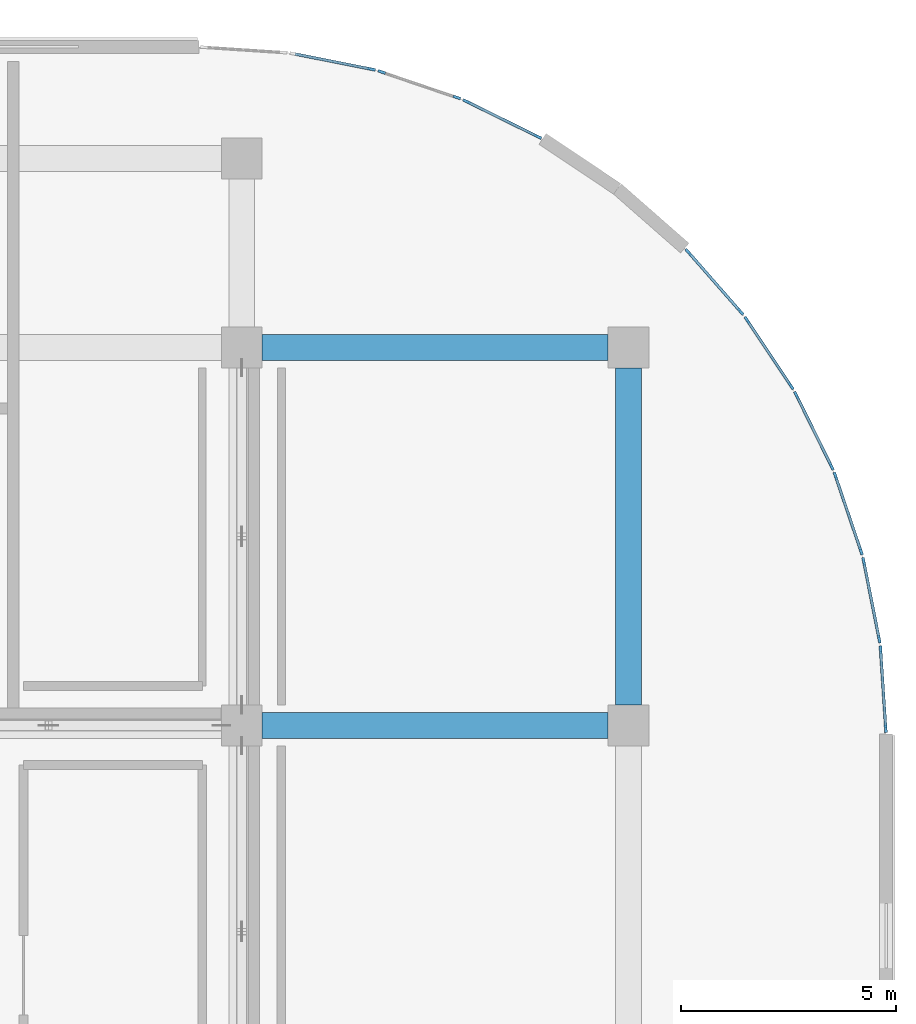
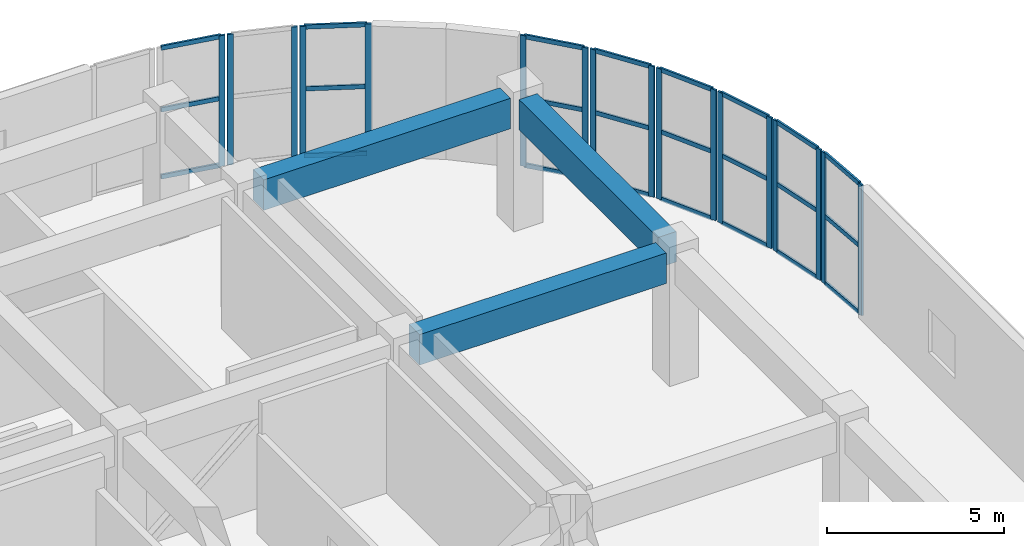
# One storey, part 42 of 86: 41 members, 3 beams, 9 elements without a shape of their own.
"""IFC4 building model written with IfcOpenShell, lengths in metres."""

from ifc_helpers import new_model, si_unit, direction, frame, origin, origin_2d, place, context, subcontext, project, spatial, rectangle, extrude, material, layer, layer_set, material_profile, profile_set, type_object, element, aggregate, save


model = new_model("IFC4")

# Units and contexts
model_context = context("Model", 3, precision=1e-05, world=origin(), true_north=direction((0.0, 1.0)))
body_context = subcontext(model_context, "Body", "Model", "MODEL_VIEW")
ifc_project = project(units=[si_unit("LENGTHUNIT", "METRE"), si_unit("AREAUNIT", "SQUARE_METRE"), si_unit("VOLUMEUNIT", "CUBIC_METRE"), si_unit("PLANEANGLEUNIT", "RADIAN"), si_unit("MASSUNIT", "GRAM", prefix="KILO")], contexts=[model_context])

# Site, building, storey
site_placement = place(None, origin())
site = spatial("IfcSite", under=ifc_project, at=site_placement, CompositionType="ELEMENT")
building_placement = place(site_placement, origin())
building = spatial("IfcBuilding", under=site, at=building_placement, Name="Cendralis Terraced Arcade", CompositionType="ELEMENT")
storey_placement = place(building_placement, frame((0.0, 0.0, 5.39990234375)))
storey = spatial("IfcBuildingStorey", under=building, at=storey_placement, Name="L01", CompositionType="ELEMENT", Elevation=5.39990234375)

# Beams
ifc_material_1 = material(Name="Concrete f'c 35 MPa", Category="concrete")
ifc_material_profile_1 = material_profile(ifc_material_1, rectangle(XDim=0.60009765625, YDim=1.050048828125, at=origin_2d()), Name="RC-BM-600x1050", Category="LoadBearing")
ifc_profile_set_1 = profile_set([ifc_material_profile_1], Name="Concrete f'c 35 MPa")
beam_type = type_object("IfcBeamType", Name="BM-600x1050", PredefinedType="JOIST", material=ifc_profile_set_1)
for number, where, z_axis, x_axis, name in (
    (1, (157.675048828125, 98.39990234375, 3.97998046875), (1.0, 0.0, 0.0), (0.0, 1.0, 0.0), "Reinforced Concrete Frame Beam BM-X-L02-L-18_19"),
    (2, (157.675048828125, 107.199951171875, 3.97998046875), (1.0, 0.0, 0.0), (0.0, 1.0, 0.0), "Reinforced Concrete Frame Beam BM-X-L02-M-18_19"),
):
    element("IfcBeam", number, at=place(storey_placement, frame(where, z_axis=z_axis, x_axis=x_axis)), inside=storey, type_object=beam_type, Name=name, PredefinedType="JOIST", context=body_context, shape_type="SweptSolid", body=[
        extrude(rectangle(XDim=0.60009765625, YDim=1.050048828125, at=origin_2d()), origin(), (0.0, 0.0, 1.0), 8.050048828125),
    ])
beam_placement = place(storey_placement, frame((166.199951171875, 98.875, 3.97998046875), z_axis=(0.0, 1.0, 0.0), x_axis=(-1.0, 0.0, 0.0)))
element("IfcBeam", 3, at=beam_placement, inside=storey, type_object=beam_type, Name="Reinforced Concrete Frame Beam BM-Y-L02-19-L_M", PredefinedType="JOIST", context=body_context, shape_type="SweptSolid", body=[
    extrude(rectangle(XDim=0.60009765625, YDim=1.050048828125, at=origin_2d()), origin(), (0.0, 0.0, 1.0), 7.85009765625),
])

# Curtain wall, member
ifc_material_2 = material(Name="Anodised aluminium EN AW-6063 T6", Category="aluminium")
ifc_layer = layer(ifc_material_2, 0.179931640625, Name="CW-UNIT-A")
ifc_layer_set = layer_set([ifc_layer], Name="Anodised aluminium EN AW-6063 T6")
curtain_wall_type = type_object("IfcCurtainWallType", Name="CW-UNIT-A", PredefinedType="USERDEFINED", material=ifc_layer_set)
curtain_wall_1_placement = place(storey_placement, origin())
curtain_wall_1 = element("IfcCurtainWall", 4, at=curtain_wall_1_placement, inside=storey, type_object=curtain_wall_type, Name="Exterior Unitised Facade CW-L01-0057", ObjectType="UNITISED FACADE", PredefinedType="USERDEFINED")
ifc_material_profile_2 = material_profile(ifc_material_2, rectangle(XDim=0.06494140625, YDim=0.179931640625, at=origin_2d()), Name="ALU-MUL-65x180")
ifc_profile_set_2 = profile_set([ifc_material_profile_2], Name="Anodised aluminium EN AW-6063 T6")
member_type_1 = type_object("IfcMemberType", Name="CW-UNIT-A-MUL", PredefinedType="MULLION", material=ifc_profile_set_2)
member_1_placement = place(storey_placement, frame((160.220947265625, 113.6787109375, 0.0), z_axis=(0.0, 0.0, 1.0), x_axis=(0.195050346244, 0.980793231232, 0.0)))
member_1 = element("IfcMember", 5, at=member_1_placement, type_object=member_type_1, Name="CW-U1 mullion 2", PredefinedType="MULLION", context=body_context, shape_type="SweptSolid", body=[
    extrude(rectangle(XDim=0.06494140625, YDim=0.179931640625, at=origin_2d()), origin(), (0.0, 0.0, 1.0), 4.505126953125),
])

# Curtain wall, members
curtain_wall_2_placement = place(storey_placement, origin())
curtain_wall_2 = element("IfcCurtainWall", 6, at=curtain_wall_2_placement, inside=storey, type_object=curtain_wall_type, Name="Exterior Unitised Facade CW-L01-0058", ObjectType="UNITISED FACADE", PredefinedType="USERDEFINED")
member_2_placement = place(storey_placement, frame((160.45703125, 113.615478515625, 0.0), z_axis=(0.0, 0.0, 1.0), x_axis=(0.321445350645, 0.94692813167, 0.0)))
member_2 = element("IfcMember", 7, at=member_2_placement, type_object=member_type_1, Name="CW-U1 mullion 1", PredefinedType="MULLION", context=body_context, shape_type="SweptSolid", body=[
    extrude(rectangle(XDim=0.06494140625, YDim=0.179931640625, at=origin_2d()), origin(), (0.0, 0.0, 1.0), 4.505126953125),
])
member_3_placement = place(storey_placement, frame((162.20703125, 113.021484375, 0.0), z_axis=(0.0, 0.0, 1.0), x_axis=(0.321445350645, 0.94692813167, 0.0)))
member_3 = element("IfcMember", 8, at=member_3_placement, type_object=member_type_1, Name="CW-U1 mullion 2", PredefinedType="MULLION", context=body_context, shape_type="SweptSolid", body=[
    extrude(rectangle(XDim=0.06494140625, YDim=0.179931640625, at=origin_2d()), origin(), (0.0, 0.0, 1.0), 4.505126953125),
])
aggregate(curtain_wall_2, [member_2, member_3])

curtain_wall_3_placement = place(storey_placement, origin())
curtain_wall_3 = element("IfcCurtainWall", 9, at=curtain_wall_3_placement, inside=storey, type_object=curtain_wall_type, Name="Exterior Unitised Facade CW-L01-0059", ObjectType="UNITISED FACADE", PredefinedType="USERDEFINED")
member_4_placement = place(storey_placement, frame((162.432861328125, 112.927978515625, 0.0), z_axis=(0.0, 0.0, 1.0), x_axis=(0.442293060122, 0.896870586522, 0.0)))
member_4 = element("IfcMember", 10, at=member_4_placement, type_object=member_type_1, Name="CW-U1 mullion 1", PredefinedType="MULLION", context=body_context, shape_type="SweptSolid", body=[
    extrude(rectangle(XDim=0.06494140625, YDim=0.179931640625, at=origin_2d()), origin(), (0.0, 0.0, 1.0), 4.505126953125),
])
member_5_placement = place(storey_placement, frame((164.090087890625, 112.110595703125, 0.0), z_axis=(0.0, 0.0, 1.0), x_axis=(0.442293060122, 0.896870586522, 0.0)))
member_5 = element("IfcMember", 11, at=member_5_placement, type_object=member_type_1, Name="CW-U1 mullion 2", PredefinedType="MULLION", context=body_context, shape_type="SweptSolid", body=[
    extrude(rectangle(XDim=0.06494140625, YDim=0.179931640625, at=origin_2d()), origin(), (0.0, 0.0, 1.0), 4.505126953125),
])

curtain_wall_4_placement = place(storey_placement, origin())
curtain_wall_4 = element("IfcCurtainWall", 12, at=curtain_wall_4_placement, inside=storey, type_object=curtain_wall_type, Name="Exterior Unitised Facade CW-L01-0060", ObjectType="UNITISED FACADE", PredefinedType="USERDEFINED")
member_6_placement = place(storey_placement, frame((167.594482421875, 109.421630859375, 0.0), z_axis=(0.0, 0.0, 1.0), x_axis=(0.751782754392, 0.659410866, 0.0)))
member_6 = element("IfcMember", 13, at=member_6_placement, type_object=member_type_1, Name="CW-U1 mullion 1", PredefinedType="MULLION", context=body_context, shape_type="SweptSolid", body=[
    extrude(rectangle(XDim=0.06494140625, YDim=0.179931640625, at=origin_2d()), origin(), (0.0, 0.0, 1.0), 4.505126953125),
])
member_7_placement = place(storey_placement, frame((168.81298828125, 108.0322265625, 0.0), z_axis=(0.0, 0.0, 1.0), x_axis=(0.751782754392, 0.659410866, 0.0)))
member_7 = element("IfcMember", 14, at=member_7_placement, type_object=member_type_1, Name="CW-U1 mullion 2", PredefinedType="MULLION", context=body_context, shape_type="SweptSolid", body=[
    extrude(rectangle(XDim=0.06494140625, YDim=0.179931640625, at=origin_2d()), origin(), (0.0, 0.0, 1.0), 4.505126953125),
])

curtain_wall_5_placement = place(storey_placement, origin())
curtain_wall_5 = element("IfcCurtainWall", 15, at=curtain_wall_5_placement, inside=storey, type_object=curtain_wall_type, Name="Exterior Unitised Facade CW-L01-0061", ObjectType="UNITISED FACADE", PredefinedType="USERDEFINED")
member_8_placement = place(storey_placement, frame((168.961669921875, 107.83837890625, 0.0), z_axis=(0.0, 0.0, 1.0), x_axis=(0.831494952872, 0.555532306305, 0.0)))
member_8 = element("IfcMember", 16, at=member_8_placement, type_object=member_type_1, Name="CW-U1 mullion 1", PredefinedType="MULLION", context=body_context, shape_type="SweptSolid", body=[
    extrude(rectangle(XDim=0.06494140625, YDim=0.179931640625, at=origin_2d()), origin(), (0.0, 0.0, 1.0), 4.505126953125),
])
member_9_placement = place(storey_placement, frame((169.98828125, 106.3017578125, 0.0), z_axis=(0.0, 0.0, 1.0), x_axis=(0.831494952872, 0.555532306305, 0.0)))
member_9 = element("IfcMember", 17, at=member_9_placement, type_object=member_type_1, Name="CW-U1 mullion 2", PredefinedType="MULLION", context=body_context, shape_type="SweptSolid", body=[
    extrude(rectangle(XDim=0.06494140625, YDim=0.179931640625, at=origin_2d()), origin(), (0.0, 0.0, 1.0), 4.505126953125),
])

curtain_wall_6_placement = place(storey_placement, origin())
curtain_wall_6 = element("IfcCurtainWall", 18, at=curtain_wall_6_placement, inside=storey, type_object=curtain_wall_type, Name="Exterior Unitised Facade CW-L01-0062", ObjectType="UNITISED FACADE", PredefinedType="USERDEFINED")
member_10_placement = place(storey_placement, frame((170.110595703125, 106.090087890625, 0.0), z_axis=(0.0, 0.0, 1.0), x_axis=(0.896870586522, 0.442293060122, 0.0)))
member_10 = element("IfcMember", 19, at=member_10_placement, type_object=member_type_1, Name="CW-U1 mullion 1", PredefinedType="MULLION", context=body_context, shape_type="SweptSolid", body=[
    extrude(rectangle(XDim=0.06494140625, YDim=0.179931640625, at=origin_2d()), origin(), (0.0, 0.0, 1.0), 4.505126953125),
])
member_11_placement = place(storey_placement, frame((170.927978515625, 104.432861328125, 0.0), z_axis=(0.0, 0.0, 1.0), x_axis=(0.896870586522, 0.442293060122, 0.0)))
member_11 = element("IfcMember", 20, at=member_11_placement, type_object=member_type_1, Name="CW-U1 mullion 2", PredefinedType="MULLION", context=body_context, shape_type="SweptSolid", body=[
    extrude(rectangle(XDim=0.06494140625, YDim=0.179931640625, at=origin_2d()), origin(), (0.0, 0.0, 1.0), 4.505126953125),
])

curtain_wall_7_placement = place(storey_placement, origin())
curtain_wall_7 = element("IfcCurtainWall", 21, at=curtain_wall_7_placement, inside=storey, type_object=curtain_wall_type, Name="Exterior Unitised Facade CW-L01-0063", ObjectType="UNITISED FACADE", PredefinedType="USERDEFINED")
member_12_placement = place(storey_placement, frame((171.021484375, 104.20703125, 0.0), z_axis=(0.0, 0.0, 1.0), x_axis=(0.94692813167, 0.321445350645, 0.0)))
member_12 = element("IfcMember", 22, at=member_12_placement, type_object=member_type_1, Name="CW-U1 mullion 1", PredefinedType="MULLION", context=body_context, shape_type="SweptSolid", body=[
    extrude(rectangle(XDim=0.06494140625, YDim=0.179931640625, at=origin_2d()), origin(), (0.0, 0.0, 1.0), 4.505126953125),
])
member_13_placement = place(storey_placement, frame((171.615478515625, 102.45703125, 0.0), z_axis=(0.0, 0.0, 1.0), x_axis=(0.94692813167, 0.321445350645, 0.0)))
member_13 = element("IfcMember", 23, at=member_13_placement, type_object=member_type_1, Name="CW-U1 mullion 2", PredefinedType="MULLION", context=body_context, shape_type="SweptSolid", body=[
    extrude(rectangle(XDim=0.06494140625, YDim=0.179931640625, at=origin_2d()), origin(), (0.0, 0.0, 1.0), 4.505126953125),
])

curtain_wall_8_placement = place(storey_placement, origin())
curtain_wall_8 = element("IfcCurtainWall", 24, at=curtain_wall_8_placement, inside=storey, type_object=curtain_wall_type, Name="Exterior Unitised Facade CW-L01-0064", ObjectType="UNITISED FACADE", PredefinedType="USERDEFINED")
member_14_placement = place(storey_placement, frame((171.6787109375, 102.220947265625, 0.0), z_axis=(0.0, 0.0, 1.0), x_axis=(0.980793231232, 0.195050346244, 0.0)))
member_14 = element("IfcMember", 25, at=member_14_placement, type_object=member_type_1, Name="CW-U1 mullion 1", PredefinedType="MULLION", context=body_context, shape_type="SweptSolid", body=[
    extrude(rectangle(XDim=0.06494140625, YDim=0.179931640625, at=origin_2d()), origin(), (0.0, 0.0, 1.0), 4.505126953125),
])
member_15_placement = place(storey_placement, frame((172.0390625, 100.40869140625, 0.0), z_axis=(0.0, 0.0, 1.0), x_axis=(0.980793231232, 0.195050346244, 0.0)))
member_15 = element("IfcMember", 26, at=member_15_placement, type_object=member_type_1, Name="CW-U1 mullion 2", PredefinedType="MULLION", context=body_context, shape_type="SweptSolid", body=[
    extrude(rectangle(XDim=0.06494140625, YDim=0.179931640625, at=origin_2d()), origin(), (0.0, 0.0, 1.0), 4.505126953125),
])

curtain_wall_9_placement = place(storey_placement, origin())
curtain_wall_9 = element("IfcCurtainWall", 27, at=curtain_wall_9_placement, inside=storey, type_object=curtain_wall_type, Name="Exterior Unitised Facade CW-L01-0065", ObjectType="UNITISED FACADE", PredefinedType="USERDEFINED")
member_16_placement = place(storey_placement, frame((172.071044921875, 100.166259765625, 0.0), z_axis=(0.0, 0.0, 1.0), x_axis=(0.997859242629, 0.065398256097, 0.0)))
member_16 = element("IfcMember", 28, at=member_16_placement, type_object=member_type_1, Name="CW-U1 mullion 1", PredefinedType="MULLION", context=body_context, shape_type="SweptSolid", body=[
    extrude(rectangle(XDim=0.06494140625, YDim=0.179931640625, at=origin_2d()), origin(), (0.0, 0.0, 1.0), 4.505126953125),
])
member_17_placement = place(storey_placement, frame((172.19189453125, 98.322265625, 0.0), z_axis=(0.0, 0.0, 1.0), x_axis=(0.997859242629, 0.065398256097, 0.0)))
member_17 = element("IfcMember", 29, at=member_17_placement, type_object=member_type_1, Name="CW-U1 mullion 2", PredefinedType="MULLION", context=body_context, shape_type="SweptSolid", body=[
    extrude(rectangle(XDim=0.06494140625, YDim=0.179931640625, at=origin_2d()), origin(), (0.0, 0.0, 1.0), 4.505126953125),
])

# Member
ifc_material_profile_3 = material_profile(ifc_material_2, rectangle(XDim=0.06494140625, YDim=0.14990234375, at=origin_2d()), Name="ALU-TRN-65x150")
ifc_profile_set_3 = profile_set([ifc_material_profile_3], Name="Anodised aluminium EN AW-6063 T6")
member_type_2 = type_object("IfcMemberType", Name="CW-UNIT-A-TRN", PredefinedType="USERDEFINED", material=ifc_profile_set_3)
member_18_placement = place(storey_placement, frame((158.4404296875, 114.03271484375, 0.03271484375), z_axis=(0.980801270965, -0.195009914808, 0.0), x_axis=(0.195009914808, 0.980801270965, 0.0)))
member_18 = element("IfcMember", 30, at=member_18_placement, type_object=member_type_2, Name="CW-U1 transom 1.1", ObjectType="TRANSOM", PredefinedType="USERDEFINED", context=body_context, shape_type="SweptSolid", body=[
    extrude(rectangle(XDim=0.06494140625, YDim=0.14990234375, at=origin_2d()), origin(), (0.0, 0.0, 1.0), 1.78271484375),
])

member_19_placement = place(storey_placement, frame((158.4404296875, 114.03271484375, 2.3427734375), z_axis=(0.980801270965, -0.195009914808, 0.0), x_axis=(0.195009914808, 0.980801270965, 0.0)))
member_19 = element("IfcMember", 31, at=member_19_placement, type_object=member_type_2, Name="CW-U1 transom 1.2", ObjectType="TRANSOM", PredefinedType="USERDEFINED", context=body_context, shape_type="SweptSolid", body=[
    extrude(rectangle(XDim=0.06494140625, YDim=0.14990234375, at=origin_2d()), origin(), (0.0, 0.0, 1.0), 1.78271484375),
])

member_20_placement = place(storey_placement, frame((158.4404296875, 114.03271484375, 4.47265625), z_axis=(0.980801270965, -0.195009914808, 0.0), x_axis=(0.195009914808, 0.980801270965, 0.0)))
member_20 = element("IfcMember", 32, at=member_20_placement, type_object=member_type_2, Name="CW-U1 transom 1.3", ObjectType="TRANSOM", PredefinedType="USERDEFINED", context=body_context, shape_type="SweptSolid", body=[
    extrude(rectangle(XDim=0.06494140625, YDim=0.14990234375, at=origin_2d()), origin(), (0.0, 0.0, 1.0), 1.78271484375),
])

aggregate(curtain_wall_1, [member_1, member_18, member_19, member_20])

member_21_placement = place(storey_placement, frame((162.4619140625, 112.91357421875, 0.03271484375), z_axis=(0.896878311066, -0.442277396144, 0.0), x_axis=(0.442277396144, 0.896878311066, 0.0)))
member_21 = element("IfcMember", 33, at=member_21_placement, type_object=member_type_2, Name="CW-U1 transom 1.1", ObjectType="TRANSOM", PredefinedType="USERDEFINED", context=body_context, shape_type="SweptSolid", body=[
    extrude(rectangle(XDim=0.06494140625, YDim=0.14990234375, at=origin_2d()), origin(), (0.0, 0.0, 1.0), 1.782958984375),
])

member_22_placement = place(storey_placement, frame((162.4619140625, 112.91357421875, 2.3427734375), z_axis=(0.896878311066, -0.442277396144, 0.0), x_axis=(0.442277396144, 0.896878311066, 0.0)))
member_22 = element("IfcMember", 34, at=member_22_placement, type_object=member_type_2, Name="CW-U1 transom 1.2", ObjectType="TRANSOM", PredefinedType="USERDEFINED", context=body_context, shape_type="SweptSolid", body=[
    extrude(rectangle(XDim=0.06494140625, YDim=0.14990234375, at=origin_2d()), origin(), (0.0, 0.0, 1.0), 1.782958984375),
])

member_23_placement = place(storey_placement, frame((162.4619140625, 112.91357421875, 4.47265625), z_axis=(0.896878311066, -0.442277396144, 0.0), x_axis=(0.442277396144, 0.896878311066, 0.0)))
member_23 = element("IfcMember", 35, at=member_23_placement, type_object=member_type_2, Name="CW-U1 transom 1.3", ObjectType="TRANSOM", PredefinedType="USERDEFINED", context=body_context, shape_type="SweptSolid", body=[
    extrude(rectangle(XDim=0.06494140625, YDim=0.14990234375, at=origin_2d()), origin(), (0.0, 0.0, 1.0), 1.782958984375),
])

aggregate(curtain_wall_3, [member_4, member_5, member_21, member_22, member_23])

member_24_placement = place(storey_placement, frame((167.615966796875, 109.397216796875, 0.03271484375), z_axis=(0.659376717373, -0.75181270579, 0.0), x_axis=(0.75181270579, 0.659376717373, 0.0)))
member_24 = element("IfcMember", 36, at=member_24_placement, type_object=member_type_2, Name="CW-U1 transom 1.1", ObjectType="TRANSOM", PredefinedType="USERDEFINED", context=body_context, shape_type="SweptSolid", body=[
    extrude(rectangle(XDim=0.06494140625, YDim=0.14990234375, at=origin_2d()), origin(), (0.0, 0.0, 1.0), 1.78271484375),
])

member_25_placement = place(storey_placement, frame((167.615966796875, 109.397216796875, 2.3427734375), z_axis=(0.659376717373, -0.75181270579, 0.0), x_axis=(0.75181270579, 0.659376717373, 0.0)))
member_25 = element("IfcMember", 37, at=member_25_placement, type_object=member_type_2, Name="CW-U1 transom 1.2", ObjectType="TRANSOM", PredefinedType="USERDEFINED", context=body_context, shape_type="SweptSolid", body=[
    extrude(rectangle(XDim=0.06494140625, YDim=0.14990234375, at=origin_2d()), origin(), (0.0, 0.0, 1.0), 1.78271484375),
])

member_26_placement = place(storey_placement, frame((167.615966796875, 109.397216796875, 4.47265625), z_axis=(0.659376717373, -0.75181270579, 0.0), x_axis=(0.75181270579, 0.659376717373, 0.0)))
member_26 = element("IfcMember", 38, at=member_26_placement, type_object=member_type_2, Name="CW-U1 transom 1.3", ObjectType="TRANSOM", PredefinedType="USERDEFINED", context=body_context, shape_type="SweptSolid", body=[
    extrude(rectangle(XDim=0.06494140625, YDim=0.14990234375, at=origin_2d()), origin(), (0.0, 0.0, 1.0), 1.78271484375),
])

aggregate(curtain_wall_4, [member_6, member_7, member_24, member_25, member_26])

member_27_placement = place(storey_placement, frame((168.979736328125, 107.811279296875, 0.03271484375), z_axis=(0.555553126994, -0.831481041929, 0.0), x_axis=(0.831481041929, 0.555553126994, 0.0)))
member_27 = element("IfcMember", 39, at=member_27_placement, type_object=member_type_2, Name="CW-U1 transom 1.1", ObjectType="TRANSOM", PredefinedType="USERDEFINED", context=body_context, shape_type="SweptSolid", body=[
    extrude(rectangle(XDim=0.06494140625, YDim=0.14990234375, at=origin_2d()), origin(), (0.0, 0.0, 1.0), 1.782958984375),
])

member_28_placement = place(storey_placement, frame((168.979736328125, 107.811279296875, 2.3427734375), z_axis=(0.555553126994, -0.831481041929, 0.0), x_axis=(0.831481041929, 0.555553126994, 0.0)))
member_28 = element("IfcMember", 40, at=member_28_placement, type_object=member_type_2, Name="CW-U1 transom 1.2", ObjectType="TRANSOM", PredefinedType="USERDEFINED", context=body_context, shape_type="SweptSolid", body=[
    extrude(rectangle(XDim=0.06494140625, YDim=0.14990234375, at=origin_2d()), origin(), (0.0, 0.0, 1.0), 1.782958984375),
])

member_29_placement = place(storey_placement, frame((168.979736328125, 107.811279296875, 4.47265625), z_axis=(0.555553126994, -0.831481041929, 0.0), x_axis=(0.831481041929, 0.555553126994, 0.0)))
member_29 = element("IfcMember", 41, at=member_29_placement, type_object=member_type_2, Name="CW-U1 transom 1.3", ObjectType="TRANSOM", PredefinedType="USERDEFINED", context=body_context, shape_type="SweptSolid", body=[
    extrude(rectangle(XDim=0.06494140625, YDim=0.14990234375, at=origin_2d()), origin(), (0.0, 0.0, 1.0), 1.782958984375),
])

aggregate(curtain_wall_5, [member_8, member_9, member_27, member_28, member_29])

member_30_placement = place(storey_placement, frame((170.125, 106.06103515625, 0.03271484375), z_axis=(0.442277396144, -0.896878311066, 0.0), x_axis=(0.896878311066, 0.442277396144, 0.0)))
member_30 = element("IfcMember", 42, at=member_30_placement, type_object=member_type_2, Name="CW-U1 transom 1.1", ObjectType="TRANSOM", PredefinedType="USERDEFINED", context=body_context, shape_type="SweptSolid", body=[
    extrude(rectangle(XDim=0.06494140625, YDim=0.14990234375, at=origin_2d()), origin(), (0.0, 0.0, 1.0), 1.782958984375),
])

member_31_placement = place(storey_placement, frame((170.125, 106.06103515625, 2.3427734375), z_axis=(0.442277396144, -0.896878311066, 0.0), x_axis=(0.896878311066, 0.442277396144, 0.0)))
member_31 = element("IfcMember", 43, at=member_31_placement, type_object=member_type_2, Name="CW-U1 transom 1.2", ObjectType="TRANSOM", PredefinedType="USERDEFINED", context=body_context, shape_type="SweptSolid", body=[
    extrude(rectangle(XDim=0.06494140625, YDim=0.14990234375, at=origin_2d()), origin(), (0.0, 0.0, 1.0), 1.782958984375),
])

member_32_placement = place(storey_placement, frame((170.125, 106.06103515625, 4.47265625), z_axis=(0.442277396144, -0.896878311066, 0.0), x_axis=(0.896878311066, 0.442277396144, 0.0)))
member_32 = element("IfcMember", 44, at=member_32_placement, type_object=member_type_2, Name="CW-U1 transom 1.3", ObjectType="TRANSOM", PredefinedType="USERDEFINED", context=body_context, shape_type="SweptSolid", body=[
    extrude(rectangle(XDim=0.06494140625, YDim=0.14990234375, at=origin_2d()), origin(), (0.0, 0.0, 1.0), 1.782958984375),
])

aggregate(curtain_wall_6, [member_10, member_11, member_30, member_31, member_32])

member_33_placement = place(storey_placement, frame((171.031982421875, 104.17626953125, 0.03271484375), z_axis=(0.321357738098, -0.94695786821, 0.0), x_axis=(0.94695786821, 0.321357738098, 0.0)))
member_33 = element("IfcMember", 45, at=member_33_placement, type_object=member_type_2, Name="CW-U1 transom 1.1", ObjectType="TRANSOM", PredefinedType="USERDEFINED", context=body_context, shape_type="SweptSolid", body=[
    extrude(rectangle(XDim=0.06494140625, YDim=0.14990234375, at=origin_2d()), origin(), (0.0, 0.0, 1.0), 1.782958984375),
])

member_34_placement = place(storey_placement, frame((171.031982421875, 104.17626953125, 2.3427734375), z_axis=(0.321357738098, -0.94695786821, 0.0), x_axis=(0.94695786821, 0.321357738098, 0.0)))
member_34 = element("IfcMember", 46, at=member_34_placement, type_object=member_type_2, Name="CW-U1 transom 1.2", ObjectType="TRANSOM", PredefinedType="USERDEFINED", context=body_context, shape_type="SweptSolid", body=[
    extrude(rectangle(XDim=0.06494140625, YDim=0.14990234375, at=origin_2d()), origin(), (0.0, 0.0, 1.0), 1.782958984375),
])

member_35_placement = place(storey_placement, frame((171.031982421875, 104.17626953125, 4.47265625), z_axis=(0.321357738098, -0.94695786821, 0.0), x_axis=(0.94695786821, 0.321357738098, 0.0)))
member_35 = element("IfcMember", 47, at=member_35_placement, type_object=member_type_2, Name="CW-U1 transom 1.3", ObjectType="TRANSOM", PredefinedType="USERDEFINED", context=body_context, shape_type="SweptSolid", body=[
    extrude(rectangle(XDim=0.06494140625, YDim=0.14990234375, at=origin_2d()), origin(), (0.0, 0.0, 1.0), 1.782958984375),
])

aggregate(curtain_wall_7, [member_12, member_13, member_33, member_34, member_35])

member_36_placement = place(storey_placement, frame((171.68505859375, 102.18896484375, 0.03271484375), z_axis=(0.195009914808, -0.980801270965, 0.0), x_axis=(0.980801270965, 0.195009914808, 0.0)))
member_36 = element("IfcMember", 48, at=member_36_placement, type_object=member_type_2, Name="CW-U1 transom 1.1", ObjectType="TRANSOM", PredefinedType="USERDEFINED", context=body_context, shape_type="SweptSolid", body=[
    extrude(rectangle(XDim=0.06494140625, YDim=0.14990234375, at=origin_2d()), origin(), (0.0, 0.0, 1.0), 1.78271484375),
])

member_37_placement = place(storey_placement, frame((171.68505859375, 102.18896484375, 2.3427734375), z_axis=(0.195009914808, -0.980801270965, 0.0), x_axis=(0.980801270965, 0.195009914808, 0.0)))
member_37 = element("IfcMember", 49, at=member_37_placement, type_object=member_type_2, Name="CW-U1 transom 1.2", ObjectType="TRANSOM", PredefinedType="USERDEFINED", context=body_context, shape_type="SweptSolid", body=[
    extrude(rectangle(XDim=0.06494140625, YDim=0.14990234375, at=origin_2d()), origin(), (0.0, 0.0, 1.0), 1.78271484375),
])

member_38_placement = place(storey_placement, frame((171.68505859375, 102.18896484375, 4.47265625), z_axis=(0.195009914808, -0.980801270965, 0.0), x_axis=(0.980801270965, 0.195009914808, 0.0)))
member_38 = element("IfcMember", 50, at=member_38_placement, type_object=member_type_2, Name="CW-U1 transom 1.3", ObjectType="TRANSOM", PredefinedType="USERDEFINED", context=body_context, shape_type="SweptSolid", body=[
    extrude(rectangle(XDim=0.06494140625, YDim=0.14990234375, at=origin_2d()), origin(), (0.0, 0.0, 1.0), 1.78271484375),
])

aggregate(curtain_wall_8, [member_14, member_15, member_36, member_37, member_38])

member_39_placement = place(storey_placement, frame((172.0732421875, 100.1337890625, 0.03271484375), z_axis=(0.065455595019, -0.997855483064, 0.0), x_axis=(0.997855483064, 0.065455595019, 0.0)))
member_39 = element("IfcMember", 51, at=member_39_placement, type_object=member_type_2, Name="CW-U1 transom 1.1", ObjectType="TRANSOM", PredefinedType="USERDEFINED", context=body_context, shape_type="SweptSolid", body=[
    extrude(rectangle(XDim=0.06494140625, YDim=0.14990234375, at=origin_2d()), origin(), (0.0, 0.0, 1.0), 1.782958984375),
])

member_40_placement = place(storey_placement, frame((172.0732421875, 100.1337890625, 2.3427734375), z_axis=(0.065455595019, -0.997855483064, 0.0), x_axis=(0.997855483064, 0.065455595019, 0.0)))
member_40 = element("IfcMember", 52, at=member_40_placement, type_object=member_type_2, Name="CW-U1 transom 1.2", ObjectType="TRANSOM", PredefinedType="USERDEFINED", context=body_context, shape_type="SweptSolid", body=[
    extrude(rectangle(XDim=0.06494140625, YDim=0.14990234375, at=origin_2d()), origin(), (0.0, 0.0, 1.0), 1.782958984375),
])

member_41_placement = place(storey_placement, frame((172.0732421875, 100.1337890625, 4.47265625), z_axis=(0.065455595019, -0.997855483064, 0.0), x_axis=(0.997855483064, 0.065455595019, 0.0)))
member_41 = element("IfcMember", 53, at=member_41_placement, type_object=member_type_2, Name="CW-U1 transom 1.3", ObjectType="TRANSOM", PredefinedType="USERDEFINED", context=body_context, shape_type="SweptSolid", body=[
    extrude(rectangle(XDim=0.06494140625, YDim=0.14990234375, at=origin_2d()), origin(), (0.0, 0.0, 1.0), 1.782958984375),
])

aggregate(curtain_wall_9, [member_16, member_17, member_39, member_40, member_41])

save(model, "model.ifc")
